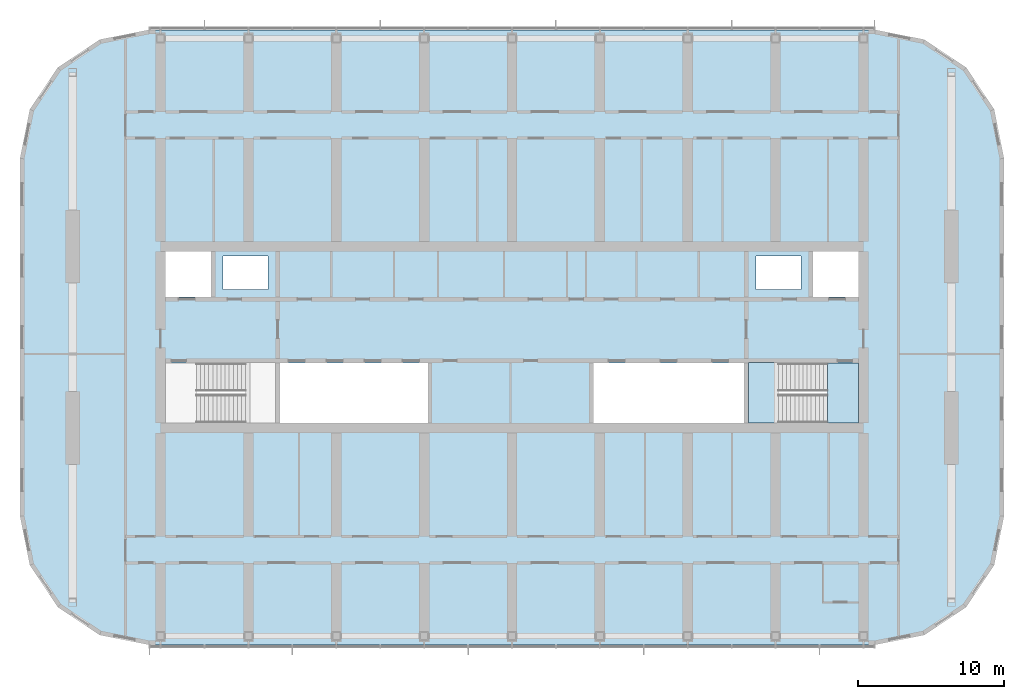
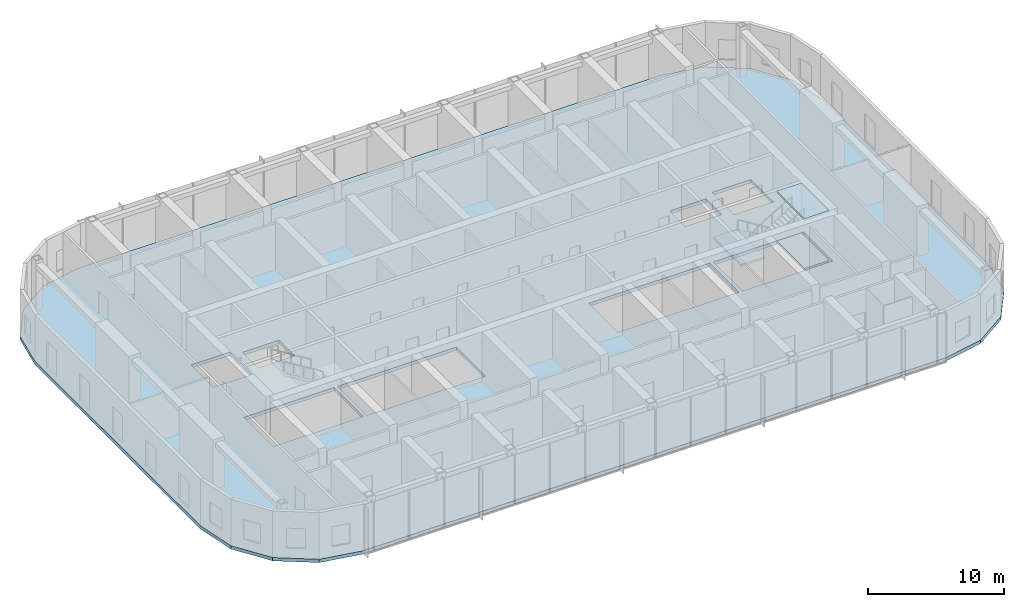
# One storey, part 8 of 21: 4 slabs, 1 element without a shape of its own.
"""IFC4 building model written with IfcOpenShell, lengths in metres."""

import ifcopenshell
import ifcopenshell.guid

model = None  # the IFC model being written
_history = None  # IfcOwnerHistory: only IFC2X3 demands one
_inside = {}  # id of a spatial element -> (the spatial element, [elements in it])
_under = {}  # id of a project, library or spatial element -> (it, [spatial elements below it])
_declared = {}  # id of a project -> (the project, [libraries it declares])
_typed = {}  # id of a type object -> (the type object, [elements of that type])
_made_of = {}  # id of a material, layer set ... -> (it, [elements and type objects made of it])


def new_model(schema):
    """Start an empty IFC model of exactly this schema.

    Asked for "IFC4X3", IfcOpenShell would pick the latest addendum, in which some entities
    have other attributes; the version numbers below select the first issue.
    IFC2X3 requires an IfcOwnerHistory on every rooted entity: one is made here for all.
    """
    global model, _history
    if schema == "IFC4X3":
        model = ifcopenshell.file(schema_version=(4, 3, 0, 0))
    else:
        model = ifcopenshell.file(schema=schema)
    _inside.clear()
    _under.clear()
    _declared.clear()
    _typed.clear()
    _made_of.clear()
    _history = None
    if model.schema == "IFC2X3":
        org = make("IfcOrganization", Name="unknown")
        user = make(
            "IfcPersonAndOrganization",
            ThePerson=make("IfcPerson", FamilyName="unknown"),
            TheOrganization=org,
        )
        app = make(
            "IfcApplication",
            ApplicationDeveloper=org,
            Version="unknown",
            ApplicationFullName="unknown",
            ApplicationIdentifier="unknown",
        )
        _history = make(
            "IfcOwnerHistory",
            OwningUser=user,
            OwningApplication=app,
            ChangeAction="ADDED",
            CreationDate=0,
        )
    return model


def make(cls, **values):
    """One entity of the class cls with the attributes given. An attribute that is None is left unset."""
    return model.create_entity(
        cls, **{name: value for name, value in values.items() if value is not None}
    )


def rooted(cls, **values):
    """An entity with a GlobalId (a new one), such as an element, a storey or a relation."""
    return make(cls, GlobalId=ifcopenshell.guid.new(), OwnerHistory=_history, **values)


def si_unit(unit_type, name, prefix=None):
    """IfcSIUnit, for example si_unit("LENGTHUNIT", "METRE", prefix="MILLI")."""
    return make("IfcSIUnit", UnitType=unit_type, Prefix=prefix, Name=name)


def assignment(units):
    """IfcUnitAssignment: the units of a project."""
    return None if units is None else make("IfcUnitAssignment", Units=units)


def point(xyz):
    """IfcCartesianPoint."""
    return None if xyz is None else make("IfcCartesianPoint", Coordinates=xyz)


def direction(xyz):
    """IfcDirection."""
    return None if xyz is None else make("IfcDirection", DirectionRatios=xyz)


def frame(location, z_axis=None, x_axis=None):
    """IfcAxis2Placement3D, a coordinate frame: its origin and axes. An axis left out is left unset."""
    return make(
        "IfcAxis2Placement3D",
        Location=point(location),
        Axis=direction(z_axis),
        RefDirection=direction(x_axis),
    )


def origin():
    """The frame at (0, 0, 0) with its axes left unset."""
    return frame((0.0, 0.0, 0.0))


def place(relative_to, where):
    """IfcLocalPlacement: puts the frame where relative to a parent placement (None: the world)."""
    return make(
        "IfcLocalPlacement", PlacementRelTo=relative_to, RelativePlacement=where
    )


def context(
    kind, dimensions, precision=None, world=None, true_north=None, identifier=None
):
    """IfcGeometricRepresentationContext, for example the 3D "Model" context."""
    return make(
        "IfcGeometricRepresentationContext",
        ContextIdentifier=identifier,
        ContextType=kind,
        CoordinateSpaceDimension=dimensions,
        Precision=precision,
        WorldCoordinateSystem=world,
        TrueNorth=true_north,
    )


def subcontext(parent, identifier, kind, view, scale=None):
    """IfcGeometricRepresentationSubContext, for example "Body" below "Model"."""
    return make(
        "IfcGeometricRepresentationSubContext",
        ContextIdentifier=identifier,
        ContextType=kind,
        ParentContext=parent,
        TargetScale=scale,
        TargetView=view,
    )


def project(units=None, contexts=None):
    """IfcProject with its units and contexts."""
    return rooted(
        "IfcProject",
        Name="project",
        RepresentationContexts=contexts,
        UnitsInContext=assignment(units),
    )


def spatial(cls, under=None, at=None, **own):
    """A site, building, storey or space (cls), placed at a placement, below another one or the project."""
    s = rooted(cls, ObjectPlacement=at, **own)
    if under is not None:
        _under.setdefault(under.id(), (under, []))[1].append(s)
    return s


def polyline(points):
    """IfcPolyline through the points."""
    return make("IfcPolyline", Points=[point(p) for p in points])


def outline(outer, holes=None, kind="AREA"):
    """IfcArbitraryClosedProfileDef: a profile drawn as a closed curve; with holes, ...WithVoids."""
    if holes is None:
        return make("IfcArbitraryClosedProfileDef", ProfileType=kind, OuterCurve=outer)
    return make(
        "IfcArbitraryProfileDefWithVoids",
        ProfileType=kind,
        OuterCurve=outer,
        InnerCurves=holes,
    )


def extrude(swept, where, along, depth):
    """IfcExtrudedAreaSolid: the profile swept, set in the frame where, extruded along a direction by depth."""
    return make(
        "IfcExtrudedAreaSolid",
        SweptArea=swept,
        Position=where,
        ExtrudedDirection=direction(along),
        Depth=depth,
    )


def shape(context_of_items, identifier, shape_type, items):
    """IfcShapeRepresentation: the items that make up one representation, for example the "Body"."""
    return make(
        "IfcShapeRepresentation",
        ContextOfItems=context_of_items,
        RepresentationIdentifier=identifier,
        RepresentationType=shape_type,
        Items=items,
    )


def material(Name=None, Category=None):
    """IfcMaterial."""
    return make("IfcMaterial", Name=Name, Category=Category)


def layer(
    of_material, thickness, ventilated=None, Name=None, Category=None, Priority=None
):
    """IfcMaterialLayer: one layer of a wall or slab, of a material (None: an air gap)."""
    return make(
        "IfcMaterialLayer",
        Material=of_material,
        LayerThickness=thickness,
        IsVentilated=ventilated,
        Name=Name,
        Category=Category,
        Priority=Priority,
    )


def layer_set(layers, Name=None):
    """IfcMaterialLayerSet."""
    return make("IfcMaterialLayerSet", MaterialLayers=layers, LayerSetName=Name)


def made_of(thing, what):
    """Note that an element or type object is made of a material, layer set ...; save() writes the relation."""
    if what is not None:
        _made_of.setdefault(what.id(), (what, []))[1].append(thing)
    return thing


def type_object(cls, material=None, **own):
    """A type object (cls), such as IfcWallType, which elements share."""
    return made_of(rooted(cls, **own), material)


def element(
    cls,
    number,
    at=None,
    inside=None,
    cuts=None,
    type_object=None,
    material=None,
    context=None,
    identifier="Body",
    shape_type=None,
    held_by="IfcProductDefinitionShape",
    body=None,
    shapes=None,
    **own,
):
    """One element of the class cls, such as IfcWall. Its Tag is "e" and its number.

    at: its placement. inside: the storey or other place that contains it. cuts: it is an
    opening in that element (IfcRelVoidsElement). A single representation is given by context,
    identifier, shape_type and body (its items); several are given by shapes. held_by: the class
    of the entity that holds the representations. save() writes the other relations.
    """
    e = rooted(cls, Tag="e%d" % number, ObjectPlacement=at, **own)
    if body is not None:
        shapes = [shape(context, identifier, shape_type, body)]
    if shapes is not None:
        e.Representation = make(held_by, Representations=shapes)
    if inside is not None:
        _inside.setdefault(inside.id(), (inside, []))[1].append(e)
    if cuts is not None:
        rooted(
            "IfcRelVoidsElement", RelatingBuildingElement=cuts, RelatedOpeningElement=e
        )
    if type_object is not None:
        _typed.setdefault(type_object.id(), (type_object, []))[1].append(e)
    return made_of(e, material)


def aggregate(whole, parts):
    """IfcRelAggregates: a whole, such as a stair, and the parts it consists of."""
    return rooted("IfcRelAggregates", RelatingObject=whole, RelatedObjects=parts)


def save(model, path):
    """Write the relations noted so far, then the file.

    IfcRelAggregates (storeys below a building ...), IfcRelContainedInSpatialStructure (elements
    in a storey), IfcRelDefinesByType, IfcRelAssociatesMaterial and IfcRelDeclares: one each for
    every whole, place, type object, material and project.
    """
    for whole, parts in _under.values():
        aggregate(whole, parts)
    for where, things in _inside.values():
        rooted(
            "IfcRelContainedInSpatialStructure",
            RelatedElements=things,
            RelatingStructure=where,
        )
    for kind, things in _typed.values():
        rooted("IfcRelDefinesByType", RelatedObjects=things, RelatingType=kind)
    for what, things in _made_of.values():
        rooted("IfcRelAssociatesMaterial", RelatedObjects=things, RelatingMaterial=what)
    for by, libraries in _declared.values():
        rooted("IfcRelDeclares", RelatingContext=by, RelatedDefinitions=libraries)
    model.write(path)


model = new_model("IFC4")

# Units and contexts
model_context = context("Model", 3, precision=1e-05, world=origin(), true_north=direction((0.0, 1.0)))
body_context = subcontext(model_context, "Body", "Model", "MODEL_VIEW")
ifc_project = project(units=[si_unit("LENGTHUNIT", "METRE"), si_unit("AREAUNIT", "SQUARE_METRE"), si_unit("VOLUMEUNIT", "CUBIC_METRE"), si_unit("PLANEANGLEUNIT", "RADIAN"), si_unit("MASSUNIT", "GRAM", prefix="KILO")], contexts=[model_context])

# Site, building, storey
site_placement = place(None, origin())
site = spatial("IfcSite", under=ifc_project, at=site_placement, CompositionType="ELEMENT")
building_placement = place(site_placement, origin())
building = spatial("IfcBuilding", under=site, at=building_placement, Name="Orbita Commons", CompositionType="ELEMENT")
storey_placement = place(building_placement, frame((0.0, 0.0, 257.800048828125)))
storey = spatial("IfcBuildingStorey", under=building, at=storey_placement, Name="L64", CompositionType="ELEMENT", Elevation=257.800048828125)

# Slab
ifc_material_1 = material(Name="Concrete C40/50", Category="concrete")
ifc_layer_1 = layer(ifc_material_1, 0.300048828125)
ifc_layer_set_1 = layer_set([ifc_layer_1], Name="Concrete C40/50")
slab_type_1 = type_object("IfcSlabType", Name="Floor slab 300", PredefinedType="FLOOR", material=ifc_layer_set_1)
slab_1_placement = place(storey_placement, frame((0.0, 0.0, -0.300048828125)))
element("IfcSlab", 1, at=slab_1_placement, inside=storey, type_object=slab_type_1, Name="Floor slab L64", PredefinedType="FLOOR", context=body_context, shape_type="SweptSolid", body=[
    extrude(outline(polyline([(66.800048828125, 11.0), (70.167724609375, 11.669921875), (73.0224609375, 13.577392578125), (74.93017578125, 16.432373046875), (75.60009765625, 19.800048828125), (75.60009765625, 44.199951171875), (74.93017578125, 47.567626953125), (73.0224609375, 50.422607421875), (70.167724609375, 52.330078125), (66.800048828125, 53.0), (17.199951171875, 53.0), (13.832275390625, 52.330078125), (10.9775390625, 50.422607421875), (9.06982421875, 47.567626953125), (8.39990234375, 44.199951171875), (8.39990234375, 19.800048828125), (9.06982421875, 16.432373046875), (10.9775390625, 13.577392578125), (13.832275390625, 11.669921875), (17.199951171875, 11.0), (66.800048828125, 11.0)]), holes=[polyline([(18.14990234375, 25.949951171875), (25.85009765625, 25.949951171875), (25.85009765625, 30.25), (18.14990234375, 30.25), (18.14990234375, 25.949951171875)]), polyline([(58.14990234375, 25.949951171875), (65.85009765625, 25.949951171875), (65.85009765625, 30.25), (58.14990234375, 30.25), (58.14990234375, 25.949951171875)]), polyline([(18.14990234375, 34.75), (21.449951171875, 34.75), (21.449951171875, 38.050048828125), (18.14990234375, 38.050048828125), (18.14990234375, 34.75)]), polyline([(62.550048828125, 34.75), (65.85009765625, 34.75), (65.85009765625, 38.050048828125), (62.550048828125, 38.050048828125), (62.550048828125, 34.75)]), polyline([(22.25, 35.25), (25.35009765625, 35.25), (25.35009765625, 37.550048828125), (22.25, 37.550048828125), (22.25, 35.25)]), polyline([(58.64990234375, 35.25), (61.75, 35.25), (61.75, 37.550048828125), (58.64990234375, 37.550048828125), (58.64990234375, 35.25)]), polyline([(26.14990234375, 25.949951171875), (36.25, 25.949951171875), (36.25, 30.25), (26.14990234375, 30.25), (26.14990234375, 25.949951171875)]), polyline([(47.550048828125, 25.949951171875), (57.85009765625, 25.949951171875), (57.85009765625, 30.25), (47.550048828125, 30.25), (47.550048828125, 25.949951171875)])]), origin(), (0.0, 0.0, 1.0), 0.300048828125),
])

# Stair, slabs
ifc_material_2 = material(Name="Precast concrete C40/50", Category="concrete")
stair_type = type_object("IfcStairType", Name="Exit stair S2 2 flights 13 risers 173", PredefinedType="HALF_TURN_STAIR", material=ifc_material_2)
stair_placement = place(storey_placement, origin())
stair = element("IfcStair", 2, at=stair_placement, inside=storey, type_object=stair_type, Name="Exit stair S2 L64", PredefinedType="HALF_TURN_STAIR")
ifc_material_3 = material(Name="Concrete C40/50", Category="concrete")
ifc_layer_2 = layer(ifc_material_3, 0.199951171875)
ifc_layer_set_2 = layer_set([ifc_layer_2], Name="Concrete C40/50")
slab_type_2 = type_object("IfcSlabType", Name="Stair landing 200", PredefinedType="LANDING", material=ifc_layer_set_2)
slab_2_placement = place(storey_placement, frame((0.0, 0.0, -0.199951171875)))
slab_2 = element("IfcSlab", 3, at=slab_2_placement, type_object=slab_type_2, Name="S2 landing 1", PredefinedType="LANDING", context=body_context, shape_type="SweptSolid", body=[
    extrude(outline(polyline([(63.550048828125, 26.14990234375), (65.64990234375, 26.14990234375), (65.64990234375, 30.25), (63.550048828125, 30.25), (63.550048828125, 26.14990234375)])), origin(), (0.0, 0.0, 1.0), 0.199951171875),
])
slab_3_placement = place(storey_placement, frame((0.0, 0.0, 2.050048828125)))
slab_3 = element("IfcSlab", 4, at=slab_3_placement, type_object=slab_type_2, Name="S2 landing 2", PredefinedType="LANDING", context=body_context, shape_type="SweptSolid", body=[
    extrude(outline(polyline([(58.135009765625, 26.135009765625), (60.18994140625, 26.135009765625), (60.18994140625, 30.264892578125), (58.135009765625, 30.264892578125), (58.135009765625, 26.135009765625)])), origin(), (0.0, 0.0, 1.0), 0.199951171875),
])
slab_4_placement = place(storey_placement, frame((0.0, 0.0, 4.300048828125)))
slab_4 = element("IfcSlab", 5, at=slab_4_placement, type_object=slab_type_2, Name="S2 landing 3", PredefinedType="LANDING", context=body_context, shape_type="SweptSolid", body=[
    extrude(outline(polyline([(63.550048828125, 26.14990234375), (65.64990234375, 26.14990234375), (65.64990234375, 30.25), (63.550048828125, 30.25), (63.550048828125, 26.14990234375)])), origin(), (0.0, 0.0, 1.0), 0.199951171875),
])
aggregate(stair, [slab_2, slab_3, slab_4])

save(model, "model.ifc")
